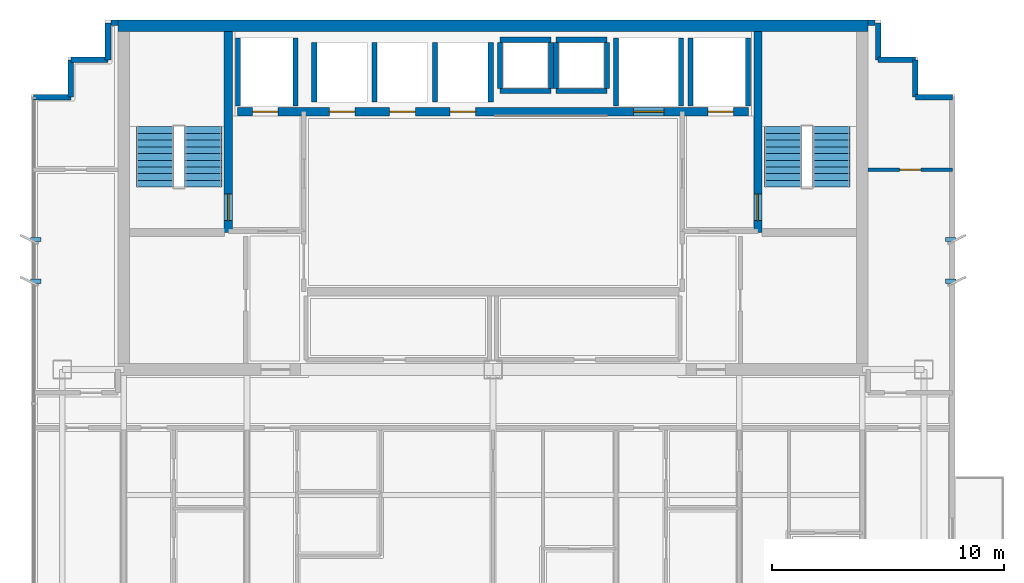
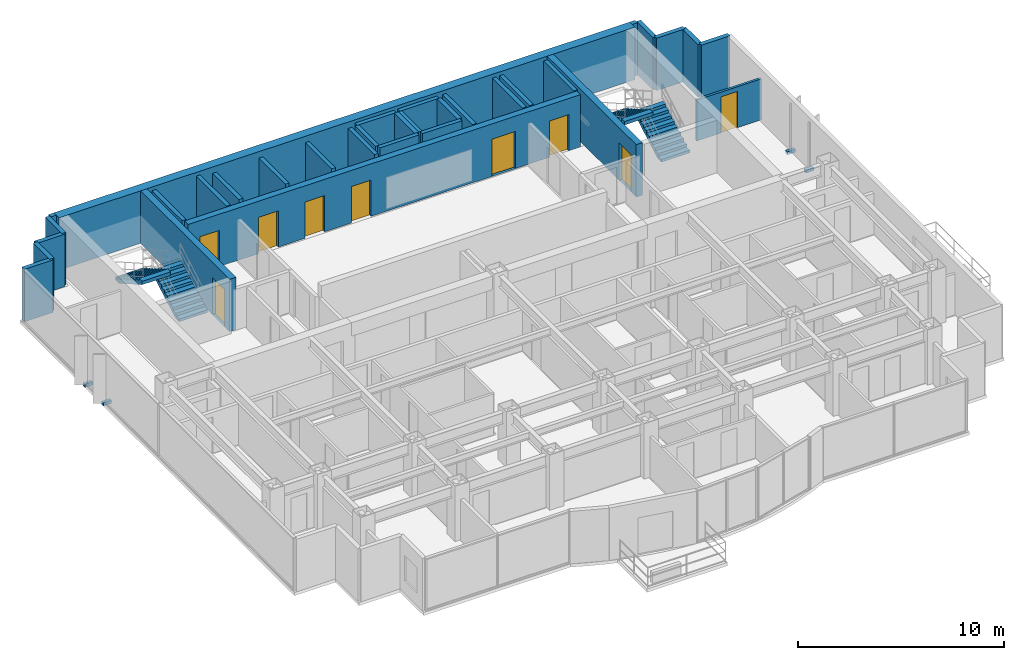
# One storey, part 9 of 11: 33 walls, 9 doors, 4 discrete accessories, 4 stair flights, 9 openings, 2 elements without a shape of their own.
"""IFC4 building model written with IfcOpenShell, lengths in metres."""

from ifc_helpers import new_model, si_unit, direction, frame, frame_2d, origin, origin_2d, place, context, subcontext, project, spatial, polyline, rectangle, outline, extrude, source, transform, mapped, material, layer, layer_set, type_object, element, fill, aggregate, save


model = new_model("IFC4")

# Units and contexts
model_context = context("Model", 3, precision=1e-05, world=origin(), true_north=direction((0.0, 1.0)))
body_context = subcontext(model_context, "Body", "Model", "MODEL_VIEW")
ifc_project = project(units=[si_unit("LENGTHUNIT", "METRE"), si_unit("AREAUNIT", "SQUARE_METRE"), si_unit("VOLUMEUNIT", "CUBIC_METRE"), si_unit("PLANEANGLEUNIT", "RADIAN"), si_unit("MASSUNIT", "GRAM", prefix="KILO")], contexts=[model_context])

# Site, building, storey
site_placement = place(None, origin())
site = spatial("IfcSite", under=ifc_project, at=site_placement, CompositionType="ELEMENT")
building_placement = place(site_placement, origin())
building = spatial("IfcBuilding", under=site, at=building_placement, Name="Qianlan Lanfeng Residences", CompositionType="ELEMENT")
storey_placement = place(building_placement, frame((0.0, 0.0, 206.60009765625)))
storey = spatial("IfcBuildingStorey", under=building, at=storey_placement, Name="L56", CompositionType="ELEMENT", Elevation=206.60009765625)

# Wall, opening, door
ifc_material_1 = material(Name="Concrete C49", Category="concrete")
ifc_layer_1 = layer(ifc_material_1, 0.35009765625)
ifc_layer_set_1 = layer_set([ifc_layer_1], Name="Concrete C49")
wall_type_1 = type_object("IfcWallType", Name="CW-RC-350", PredefinedType="SHEAR", material=ifc_layer_set_1)
wall_1_placement = place(storey_placement, frame((15.10009765625, 31.10009765625, 0.0), z_axis=(0.0, 0.0, 1.0), x_axis=(0.0, 1.0, 0.0)))
wall_1 = element("IfcWall", 1, at=wall_1_placement, inside=storey, type_object=wall_type_1, Name="L56 Core Shear Wall ST1E", PredefinedType="SHEAR", context=body_context, shape_type="SweptSolid", body=[
    extrude(rectangle(XDim=8.64990234375, YDim=0.35009765625, at=frame_2d((4.324951171875, 0.0))), origin(), (0.0, 0.0, 1.0), 3.10986328125),
])
opening_1_placement = place(wall_1_placement, frame((0.510009765625, 0.0, 0.0)))
opening_1 = element("IfcOpeningElement", 2, at=opening_1_placement, cuts=wall_1, Name="Opening L56-D07", PredefinedType="OPENING", context=body_context, shape_type="SweptSolid", body=[
    extrude(rectangle(XDim=1.14990234375, YDim=2.199951171875, at=frame_2d((0.574951171875, 1.10009765625))), frame((0.0, 0.18505859375, 0.0), z_axis=(0.0, -1.0, 0.0), x_axis=(1.0, 0.0, 0.0)), (0.0, 0.0, 1.0), 0.3701171875),
])
ifc_material_2 = material(Name="Painted Galvanised Steel Fire Door", Category="steel")
door_type_1 = type_object("IfcDoorType", Name="DT-ST1", OperationType="NOTDEFINED", PredefinedType="DOOR", material=ifc_material_2)
door_1_placement = place(opening_1_placement, frame((1.14990234375, 0.0, 0.0), z_axis=(0.0, 0.0, 1.0), x_axis=(-1.0, 0.0, 0.0)))
door_1 = element("IfcDoor", 3, at=door_1_placement, inside=storey, type_object=door_type_1, Name="L56 Exit Stair ST-1 Door L56-D07 (DT-ST1)", OperationType="SINGLE_SWING_RIGHT", OverallHeight=2.199951171875, OverallWidth=1.14990234375, PredefinedType="DOOR", context=body_context, shape_type="SweptSolid", body=[
    extrude(rectangle(XDim=1.14990234375, YDim=2.199951171875, at=frame_2d((0.574951171875, 1.10009765625))), frame((0.0, 0.02490234375, 0.0), z_axis=(0.0, -1.0, 0.0), x_axis=(1.0, 0.0, 0.0)), (0.0, 0.0, 1.0), 0.050048828125),
])
fill(opening_1, door_1)

wall_2_placement = place(storey_placement, frame((37.89990234375, 31.10009765625, 0.0), z_axis=(0.0, 0.0, 1.0), x_axis=(0.0, 1.0, 0.0)))
wall_2 = element("IfcWall", 4, at=wall_2_placement, inside=storey, type_object=wall_type_1, Name="L56 Core Shear Wall ST2W", PredefinedType="SHEAR", context=body_context, shape_type="SweptSolid", body=[
    extrude(rectangle(XDim=8.64990234375, YDim=0.35009765625, at=frame_2d((4.324951171875, 0.0))), origin(), (0.0, 0.0, 1.0), 3.10986328125),
])
opening_2_placement = place(wall_2_placement, frame((0.510009765625, 0.0, 0.0)))
opening_2 = element("IfcOpeningElement", 5, at=opening_2_placement, cuts=wall_2, Name="Opening L56-D08", PredefinedType="OPENING", context=body_context, shape_type="SweptSolid", body=[
    extrude(rectangle(XDim=1.14990234375, YDim=2.199951171875, at=frame_2d((0.574951171875, 1.10009765625))), frame((0.0, 0.18505859375, 0.0), z_axis=(0.0, -1.0, 0.0), x_axis=(1.0, 0.0, 0.0)), (0.0, 0.0, 1.0), 0.3701171875),
])
door_2_placement = place(opening_2_placement, origin())
door_2 = element("IfcDoor", 6, at=door_2_placement, inside=storey, type_object=door_type_1, Name="L56 Exit Stair ST-2 Door L56-D08 (DT-ST1)", OperationType="SINGLE_SWING_RIGHT", OverallHeight=2.199951171875, OverallWidth=1.14990234375, PredefinedType="DOOR", context=body_context, shape_type="SweptSolid", body=[
    extrude(rectangle(XDim=1.14990234375, YDim=2.199951171875, at=frame_2d((0.574951171875, 1.10009765625))), frame((0.0, 0.02490234375, 0.0), z_axis=(0.0, -1.0, 0.0), x_axis=(1.0, 0.0, 0.0)), (0.0, 0.0, 1.0), 0.050048828125),
])
fill(opening_2, door_2)

# Wall, openings, doors
wall_3_placement = place(storey_placement, frame((15.5, 36.300048828125, 0.0), z_axis=(0.0, 0.0, 1.0), x_axis=(1.0, 0.0, 0.0)))
wall_3 = element("IfcWall", 7, at=wall_3_placement, inside=storey, type_object=wall_type_1, Name="L56 Core Shear Wall LBN", PredefinedType="SHEAR", context=body_context, shape_type="SweptSolid", body=[
    extrude(rectangle(XDim=22.0, YDim=0.35009765625, at=frame_2d((11.0, 0.0))), origin(), (0.0, 0.0, 1.0), 3.10986328125),
])
opening_3_placement = place(wall_3_placement, frame((0.64990234375, 0.0, 0.0)))
opening_3 = element("IfcOpeningElement", 8, at=opening_3_placement, cuts=wall_3, Name="Opening L56-LD-FFL-1", PredefinedType="OPENING", context=body_context, shape_type="SweptSolid", body=[
    extrude(rectangle(XDim=1.10009765625, YDim=2.14990234375, at=frame_2d((0.550048828125, 1.074951171875))), frame((0.0, 0.18505859375, 0.0), z_axis=(0.0, -1.0, 0.0), x_axis=(1.0, 0.0, 0.0)), (0.0, 0.0, 1.0), 0.3701171875),
])
opening_4_placement = place(wall_3_placement, frame((20.25, 0.0, 0.0)))
opening_4 = element("IfcOpeningElement", 9, at=opening_4_placement, cuts=wall_3, Name="Opening L56-LD-FFL-2", PredefinedType="OPENING", context=body_context, shape_type="SweptSolid", body=[
    extrude(rectangle(XDim=1.10009765625, YDim=2.14990234375, at=frame_2d((0.550048828125, 1.074951171875))), frame((0.0, 0.18505859375, 0.0), z_axis=(0.0, -1.0, 0.0), x_axis=(1.0, 0.0, 0.0)), (0.0, 0.0, 1.0), 0.3701171875),
])
opening_5_placement = place(wall_3_placement, frame((17.050048828125, 0.0, 0.0)))
opening_5 = element("IfcOpeningElement", 10, at=opening_5_placement, cuts=wall_3, Name="Opening L56-LD-SVL-1", PredefinedType="OPENING", context=body_context, shape_type="SweptSolid", body=[
    extrude(rectangle(XDim=1.300048828125, YDim=2.199951171875, at=frame_2d((0.64990234375, 1.10009765625))), frame((0.0, 0.18505859375, 0.0), z_axis=(0.0, -1.0, 0.0), x_axis=(1.0, 0.0, 0.0)), (0.0, 0.0, 1.0), 0.3701171875),
])
opening_6_placement = place(wall_3_placement, frame((3.949951171875, 0.0, 0.0)))
opening_6 = element("IfcOpeningElement", 11, at=opening_6_placement, cuts=wall_3, Name="Opening L56-LD-PL-H1", PredefinedType="OPENING", context=body_context, shape_type="SweptSolid", body=[
    extrude(rectangle(XDim=1.10009765625, YDim=2.14990234375, at=frame_2d((0.550048828125, 1.074951171875))), frame((0.0, 0.18505859375, 0.0), z_axis=(0.0, -1.0, 0.0), x_axis=(1.0, 0.0, 0.0)), (0.0, 0.0, 1.0), 0.3701171875),
])
opening_7_placement = place(wall_3_placement, frame((6.550048828125, 0.0, 0.0)))
opening_7 = element("IfcOpeningElement", 12, at=opening_7_placement, cuts=wall_3, Name="Opening L56-LD-PL-H2", PredefinedType="OPENING", context=body_context, shape_type="SweptSolid", body=[
    extrude(rectangle(XDim=1.10009765625, YDim=2.14990234375, at=frame_2d((0.550048828125, 1.074951171875))), frame((0.0, 0.18505859375, 0.0), z_axis=(0.0, -1.0, 0.0), x_axis=(1.0, 0.0, 0.0)), (0.0, 0.0, 1.0), 0.3701171875),
])
opening_8_placement = place(wall_3_placement, frame((9.14990234375, 0.0, 0.0)))
opening_8 = element("IfcOpeningElement", 13, at=opening_8_placement, cuts=wall_3, Name="Opening L56-LD-PL-H3", PredefinedType="OPENING", context=body_context, shape_type="SweptSolid", body=[
    extrude(rectangle(XDim=1.10009765625, YDim=2.14990234375, at=frame_2d((0.550048828125, 1.074951171875))), frame((0.0, 0.18505859375, 0.0), z_axis=(0.0, -1.0, 0.0), x_axis=(1.0, 0.0, 0.0)), (0.0, 0.0, 1.0), 0.3701171875),
])
ifc_material_3 = material(Name="Brushed Stainless Steel Sliding Lift Door", Category="steel")
door_type_2 = type_object("IfcDoorType", Name="LD-01", OperationType="NOTDEFINED", PredefinedType="DOOR", material=ifc_material_3)
door_3_placement = place(opening_3_placement, frame((1.10009765625, 0.0, 0.0), z_axis=(0.0, 0.0, 1.0), x_axis=(-1.0, 0.0, 0.0)))
door_3 = element("IfcDoor", 14, at=door_3_placement, inside=storey, type_object=door_type_2, Name="L56 Elevator FFL-1 Sliding Landing Door", OperationType="DOUBLE_DOOR_SLIDING", OverallHeight=2.14990234375, OverallWidth=1.10009765625, PredefinedType="DOOR", context=body_context, shape_type="SweptSolid", body=[
    extrude(rectangle(XDim=1.10009765625, YDim=2.14990234375, at=frame_2d((0.550048828125, 1.074951171875))), frame((0.0, 0.02490234375, 0.0), z_axis=(0.0, -1.0, 0.0), x_axis=(1.0, 0.0, 0.0)), (0.0, 0.0, 1.0), 0.050048828125),
])
fill(opening_3, door_3)
door_4_placement = place(opening_4_placement, frame((1.10009765625, 0.0, 0.0), z_axis=(0.0, 0.0, 1.0), x_axis=(-1.0, 0.0, 0.0)))
door_4 = element("IfcDoor", 15, at=door_4_placement, inside=storey, type_object=door_type_2, Name="L56 Elevator FFL-2 Sliding Landing Door", OperationType="DOUBLE_DOOR_SLIDING", OverallHeight=2.14990234375, OverallWidth=1.10009765625, PredefinedType="DOOR", context=body_context, shape_type="SweptSolid", body=[
    extrude(rectangle(XDim=1.10009765625, YDim=2.14990234375, at=frame_2d((0.550048828125, 1.074951171875))), frame((0.0, 0.02490234375, 0.0), z_axis=(0.0, -1.0, 0.0), x_axis=(1.0, 0.0, 0.0)), (0.0, 0.0, 1.0), 0.050048828125),
])
fill(opening_4, door_4)
door_5_placement = place(opening_6_placement, frame((1.10009765625, 0.0, 0.0), z_axis=(0.0, 0.0, 1.0), x_axis=(-1.0, 0.0, 0.0)))
door_5 = element("IfcDoor", 16, at=door_5_placement, inside=storey, type_object=door_type_2, Name="L56 Elevator PL-H1 Sliding Landing Door", OperationType="DOUBLE_DOOR_SLIDING", OverallHeight=2.14990234375, OverallWidth=1.10009765625, PredefinedType="DOOR", context=body_context, shape_type="SweptSolid", body=[
    extrude(rectangle(XDim=1.10009765625, YDim=2.14990234375, at=frame_2d((0.550048828125, 1.074951171875))), frame((0.0, 0.02490234375, 0.0), z_axis=(0.0, -1.0, 0.0), x_axis=(1.0, 0.0, 0.0)), (0.0, 0.0, 1.0), 0.050048828125),
])
fill(opening_6, door_5)
door_6_placement = place(opening_7_placement, frame((1.10009765625, 0.0, 0.0), z_axis=(0.0, 0.0, 1.0), x_axis=(-1.0, 0.0, 0.0)))
door_6 = element("IfcDoor", 17, at=door_6_placement, inside=storey, type_object=door_type_2, Name="L56 Elevator PL-H2 Sliding Landing Door", OperationType="DOUBLE_DOOR_SLIDING", OverallHeight=2.14990234375, OverallWidth=1.10009765625, PredefinedType="DOOR", context=body_context, shape_type="SweptSolid", body=[
    extrude(rectangle(XDim=1.10009765625, YDim=2.14990234375, at=frame_2d((0.550048828125, 1.074951171875))), frame((0.0, 0.02490234375, 0.0), z_axis=(0.0, -1.0, 0.0), x_axis=(1.0, 0.0, 0.0)), (0.0, 0.0, 1.0), 0.050048828125),
])
fill(opening_7, door_6)
door_7_placement = place(opening_8_placement, frame((1.10009765625, 0.0, 0.0), z_axis=(0.0, 0.0, 1.0), x_axis=(-1.0, 0.0, 0.0)))
door_7 = element("IfcDoor", 18, at=door_7_placement, inside=storey, type_object=door_type_2, Name="L56 Elevator PL-H3 Sliding Landing Door", OperationType="DOUBLE_DOOR_SLIDING", OverallHeight=2.14990234375, OverallWidth=1.10009765625, PredefinedType="DOOR", context=body_context, shape_type="SweptSolid", body=[
    extrude(rectangle(XDim=1.10009765625, YDim=2.14990234375, at=frame_2d((0.550048828125, 1.074951171875))), frame((0.0, 0.02490234375, 0.0), z_axis=(0.0, -1.0, 0.0), x_axis=(1.0, 0.0, 0.0)), (0.0, 0.0, 1.0), 0.050048828125),
])
fill(opening_8, door_7)
door_type_3 = type_object("IfcDoorType", Name="LD-02", OperationType="NOTDEFINED", PredefinedType="DOOR", material=ifc_material_3)
door_8_placement = place(opening_5_placement, frame((1.300048828125, 0.0, 0.0), z_axis=(0.0, 0.0, 1.0), x_axis=(-1.0, 0.0, 0.0)))
door_8 = element("IfcDoor", 19, at=door_8_placement, inside=storey, type_object=door_type_3, Name="L56 Elevator SVL-1 Sliding Landing Door", OperationType="DOUBLE_DOOR_SLIDING", OverallHeight=2.199951171875, OverallWidth=1.300048828125, PredefinedType="DOOR", context=body_context, shape_type="SweptSolid", body=[
    extrude(rectangle(XDim=1.300048828125, YDim=2.199951171875, at=frame_2d((0.64990234375, 1.10009765625))), frame((0.0, 0.02490234375, 0.0), z_axis=(0.0, -1.0, 0.0), x_axis=(1.0, 0.0, 0.0)), (0.0, 0.0, 1.0), 0.050048828125),
])
fill(opening_5, door_8)

# Walls
ifc_material_4 = material(Name="Concrete C70", Category="concrete")
ifc_layer_2 = layer(ifc_material_4, 0.5)
ifc_layer_set_2 = layer_set([ifc_layer_2], Name="Concrete C70")
wall_type_2 = type_object("IfcWallType", Name="CW-RC-500", PredefinedType="SHEAR", material=ifc_layer_set_2)
wall_4_placement = place(storey_placement, frame((10.35009765625, 40.0, 0.0), z_axis=(0.0, 0.0, 1.0), x_axis=(1.0, 0.0, 0.0)))
element("IfcWall", 20, at=wall_4_placement, inside=storey, type_object=wall_type_2, Name="L56 Core Shear Wall N", PredefinedType="SHEAR", context=body_context, shape_type="SweptSolid", body=[
    extrude(rectangle(XDim=32.2998046875, YDim=0.5, at=frame_2d((16.14990234375, 0.0))), origin(), (0.0, 0.0, 1.0), 3.10986328125),
])
ifc_material_5 = material(Name="Concrete C42", Category="concrete")
ifc_layer_3 = layer(ifc_material_5, 0.239990234375)
ifc_layer_set_3 = layer_set([ifc_layer_3], Name="Concrete C42")
wall_type_3 = type_object("IfcWallType", Name="EW-240", PredefinedType="SOLIDWALL", material=ifc_layer_set_3)
for number, where, z_axis, x_axis, name in (
    (21, (46.280029296875, 36.929931640625, 0.0), (0.0, 0.0, 1.0), (-1.0, 0.0, 0.0), "L56 Exterior Facade Spandrel Wall 13"),
    (22, (44.679931640625, 36.929931640625, 0.0), (0.0, 0.0, 1.0), (0.0, 1.0, 0.0), "L56 Exterior Facade Spandrel Wall 14"),
):
    element("IfcWall", number, at=place(storey_placement, frame(where, z_axis=z_axis, x_axis=x_axis)), inside=storey, type_object=wall_type_3, Name=name, PredefinedType="SOLIDWALL", context=body_context, shape_type="SweptSolid", body=[
        extrude(rectangle(XDim=1.60009765625, YDim=0.239990234375, at=frame_2d((0.800048828125, 0.0))), origin(), (0.0, 0.0, 1.0), 3.10986328125),
    ])
for number, where, z_axis, x_axis, name in (
    (23, (44.679931640625, 38.530029296875, 0.0), (0.0, 0.0, 1.0), (-1.0, 0.0, 0.0), "L56 Exterior Facade Spandrel Wall 15"),
    (24, (43.080078125, 38.530029296875, 0.0), (0.0, 0.0, 1.0), (0.0, 1.0, 0.0), "L56 Exterior Facade Spandrel Wall 16"),
):
    element("IfcWall", number, at=place(storey_placement, frame(where, z_axis=z_axis, x_axis=x_axis)), inside=storey, type_object=wall_type_3, Name=name, PredefinedType="SOLIDWALL", context=body_context, shape_type="SweptSolid", body=[
        extrude(rectangle(XDim=1.599853515625, YDim=0.239990234375, at=frame_2d((0.7998046875, 0.0))), origin(), (0.0, 0.0, 1.0), 3.10986328125),
    ])
for number, where, z_axis, x_axis, name in (
    (25, (42.949951171875, 40.1298828125, 0.0), (0.0, 0.0, 1.0), (-1.0, 0.0, 0.0), "L56 North Wing Exterior Wall E"),
    (26, (10.35009765625, 40.1298828125, 0.0), (0.0, 0.0, 1.0), (-1.0, 0.0, 0.0), "L56 North Wing Exterior Wall W"),
):
    element("IfcWall", number, at=place(storey_placement, frame(where, z_axis=z_axis, x_axis=x_axis)), inside=storey, type_object=wall_type_3, Name=name, PredefinedType="SOLIDWALL", context=body_context, shape_type="SweptSolid", body=[
        extrude(rectangle(XDim=0.300048828125, YDim=0.239990234375, at=frame_2d((0.14990234375, 0.0))), origin(), (0.0, 0.0, 1.0), 3.10986328125),
    ])
for number, where, z_axis, x_axis, name in (
    (27, (9.919921875, 40.1298828125, 0.0), (0.0, 0.0, 1.0), (0.0, -1.0, 0.0), "L56 Exterior Facade Spandrel Wall 19"),
    (28, (9.919921875, 38.530029296875, 0.0), (0.0, 0.0, 1.0), (-1.0, 0.0, 0.0), "L56 Exterior Facade Spandrel Wall 20"),
):
    element("IfcWall", number, at=place(storey_placement, frame(where, z_axis=z_axis, x_axis=x_axis)), inside=storey, type_object=wall_type_3, Name=name, PredefinedType="SOLIDWALL", context=body_context, shape_type="SweptSolid", body=[
        extrude(rectangle(XDim=1.599853515625, YDim=0.239990234375, at=frame_2d((0.7998046875, 0.0))), origin(), (0.0, 0.0, 1.0), 3.10986328125),
    ])
for number, where, z_axis, x_axis, name in (
    (29, (8.320068359375, 38.530029296875, 0.0), (0.0, 0.0, 1.0), (0.0, -1.0, 0.0), "L56 Exterior Facade Spandrel Wall 21"),
    (30, (8.320068359375, 36.929931640625, 0.0), (0.0, 0.0, 1.0), (-1.0, 0.0, 0.0), "L56 Exterior Facade Spandrel Wall 22"),
):
    element("IfcWall", number, at=place(storey_placement, frame(where, z_axis=z_axis, x_axis=x_axis)), inside=storey, type_object=wall_type_3, Name=name, PredefinedType="SOLIDWALL", context=body_context, shape_type="SweptSolid", body=[
        extrude(rectangle(XDim=1.60009765625, YDim=0.239990234375, at=frame_2d((0.800048828125, 0.0))), origin(), (0.0, 0.0, 1.0), 3.10986328125),
    ])

# Wall, opening, door
ifc_material_6 = material(Name="Moisture-Resistant Gypsum Partition 135 mm")
ifc_layer_4 = layer(ifc_material_6, 0.135009765625)
ifc_layer_set_4 = layer_set([ifc_layer_4], Name="Moisture-Resistant Gypsum Partition 135 mm")
wall_type_4 = type_object("IfcWallType", Name="PW-135", PredefinedType="PARTITIONING", material=ifc_layer_set_4)
wall_5_placement = place(storey_placement, frame((42.64990234375, 33.800048828125, 0.0), z_axis=(0.0, 0.0, 1.0), x_axis=(1.0, 0.0, 0.0)))
wall_5 = element("IfcWall", 31, at=wall_5_placement, inside=storey, type_object=wall_type_4, Name="L56 EW North Wing Wall", PredefinedType="PARTITIONING", context=body_context, shape_type="SweptSolid", body=[
    extrude(rectangle(XDim=3.630126953125, YDim=0.135009765625, at=frame_2d((1.81494140625, 0.0))), origin(), (0.0, 0.0, 1.0), 2.429931640625),
])
opening_9_placement = place(wall_5_placement, frame((1.35498046875, 0.0, 0.0)))
opening_9 = element("IfcOpeningElement", 32, at=opening_9_placement, cuts=wall_5, Name="Opening L56-D42", PredefinedType="OPENING", context=body_context, shape_type="SweptSolid", body=[
    extrude(rectangle(XDim=0.919921875, YDim=2.14990234375, at=frame_2d((0.4599609375, 1.074951171875))), frame((0.0, 0.07763671875, 0.0), z_axis=(0.0, -1.0, 0.0), x_axis=(1.0, 0.0, 0.0)), (0.0, 0.0, 1.0), 0.155029296875),
])
ifc_material_7 = material(Name="Glazed Timber Kitchen/Study Door", Category="wood")
door_type_4 = type_object("IfcDoorType", Name="DT-INT", OperationType="NOTDEFINED", PredefinedType="DOOR", material=ifc_material_7)
door_9_placement = place(opening_9_placement, origin())
door_9 = element("IfcDoor", 33, at=door_9_placement, inside=storey, type_object=door_type_4, Name="L56 EW Inner Salon Door L56-D42 (DT-INT)", OperationType="SINGLE_SWING_LEFT", OverallHeight=2.14990234375, OverallWidth=0.919921875, PredefinedType="DOOR", context=body_context, shape_type="SweptSolid", body=[
    extrude(rectangle(XDim=0.919921875, YDim=2.14990234375, at=frame_2d((0.4599609375, 1.074951171875))), frame((0.0, 0.02490234375, 0.0), z_axis=(0.0, -1.0, 0.0), x_axis=(1.0, 0.0, 0.0)), (0.0, 0.0, 1.0), 0.050048828125),
])
fill(opening_9, door_9)

# Walls
ifc_layer_5 = layer(ifc_material_1, 0.219970703125)
ifc_layer_set_5 = layer_set([ifc_layer_5], Name="Concrete C49")
wall_type_5 = type_object("IfcWallType", Name="SHW-220", PredefinedType="SOLIDWALL", material=ifc_layer_set_5)
for number, where, z_axis, x_axis, name in (
    (34, (15.52001953125, 36.550048828125, 0.0), (0.0, 0.0, 1.0), (0.0, 1.0, 0.0), "L56 Lift FFL-1 Shaft Wall W"),
    (35, (18.0, 36.550048828125, 0.0), (0.0, 0.0, 1.0), (0.0, 1.0, 0.0), "L56 Lift FFL-1 Shaft Wall E"),
    (36, (35.0, 36.550048828125, 0.0), (0.0, 0.0, 1.0), (0.0, 1.0, 0.0), "L56 Lift FFL-2 Shaft Wall W"),
    (37, (37.47998046875, 36.550048828125, 0.0), (0.0, 0.0, 1.0), (0.0, 1.0, 0.0), "L56 Lift FFL-2 Shaft Wall E"),
    (38, (31.800048828125, 36.550048828125, 0.0), (0.0, 0.0, 1.0), (0.0, 1.0, 0.0), "L56 Lift SVL-1 Shaft Wall W"),
    (39, (34.60009765625, 36.550048828125, 0.0), (0.0, 0.0, 1.0), (0.0, 1.0, 0.0), "L56 Lift SVL-1 Shaft Wall E"),
):
    element("IfcWall", number, at=place(storey_placement, frame(where, z_axis=z_axis, x_axis=x_axis)), inside=storey, type_object=wall_type_5, Name=name, PredefinedType="SOLIDWALL", context=body_context, shape_type="SweptSolid", body=[
        extrude(rectangle(XDim=2.929931640625, YDim=0.219970703125, at=frame_2d((1.46484375, 0.0))), origin(), (0.0, 0.0, 1.0), 3.10986328125),
    ])
for number, where, z_axis, x_axis, name in (
    (40, (18.800048828125, 36.719970703125, 0.0), (0.0, 0.0, 1.0), (0.0, 1.0, 0.0), "L56 Lift PL-H1 Shaft Wall W"),
    (41, (21.39990234375, 36.719970703125, 0.0), (0.0, 0.0, 1.0), (0.0, 1.0, 0.0), "L56 Lift PL-H2 Shaft Wall W"),
    (42, (24.0, 36.719970703125, 0.0), (0.0, 0.0, 1.0), (0.0, 1.0, 0.0), "L56 Lift PL-H3 Shaft Wall W"),
    (43, (26.39990234375, 36.719970703125, 0.0), (0.0, 0.0, 1.0), (0.0, 1.0, 0.0), "L56 Lift PL-H3 Shaft Wall E"),
):
    element("IfcWall", number, at=place(storey_placement, frame(where, z_axis=z_axis, x_axis=x_axis)), inside=storey, type_object=wall_type_5, Name=name, PredefinedType="SOLIDWALL", context=body_context, shape_type="SweptSolid", body=[
        extrude(rectangle(XDim=2.56005859375, YDim=0.219970703125, at=frame_2d((1.280029296875, 0.0))), origin(), (0.0, 0.0, 1.0), 3.10986328125),
    ])
for number, where, z_axis, x_axis, name in (
    (44, (26.800048828125, 37.31005859375, 0.0), (0.0, 0.0, 1.0), (0.0, 1.0, 0.0), "L56 MEP Riser MEP-R1 Shaft Wall W"),
    (45, (29.0, 37.31005859375, 0.0), (0.0, 0.0, 1.0), (0.0, 1.0, 0.0), "L56 MEP Riser MEP-R1 Shaft Wall E"),
):
    element("IfcWall", number, at=place(storey_placement, frame(where, z_axis=z_axis, x_axis=x_axis)), inside=storey, type_object=wall_type_5, Name=name, PredefinedType="SOLIDWALL", context=body_context, shape_type="SweptSolid", body=[
        extrude(rectangle(XDim=1.97998046875, YDim=0.219970703125, at=frame_2d((0.989990234375, 0.0))), origin(), (0.0, 0.0, 1.0), 3.10986328125),
    ])
for number, where, z_axis, x_axis, name in (
    (46, (26.800048828125, 39.39990234375, 0.0), (0.0, 0.0, 1.0), (1.0, 0.0, 0.0), "L56 MEP Riser MEP-R1 Shaft Wall N"),
    (47, (26.800048828125, 37.199951171875, 0.0), (0.0, 0.0, 1.0), (1.0, 0.0, 0.0), "L56 MEP Riser MEP-R1 Shaft Wall S"),
):
    element("IfcWall", number, at=place(storey_placement, frame(where, z_axis=z_axis, x_axis=x_axis)), inside=storey, type_object=wall_type_5, Name=name, PredefinedType="SOLIDWALL", context=body_context, shape_type="SweptSolid", body=[
        extrude(rectangle(XDim=2.199951171875, YDim=0.219970703125, at=frame_2d((1.10009765625, 0.0))), origin(), (0.0, 0.0, 1.0), 3.10986328125),
    ])
for number, where, z_axis, x_axis, name in (
    (48, (29.199951171875, 37.31005859375, 0.0), (0.0, 0.0, 1.0), (0.0, 1.0, 0.0), "L56 MEP Riser MEP-R2 Shaft Wall W"),
    (49, (31.39990234375, 37.31005859375, 0.0), (0.0, 0.0, 1.0), (0.0, 1.0, 0.0), "L56 MEP Riser MEP-R2 Shaft Wall E"),
):
    element("IfcWall", number, at=place(storey_placement, frame(where, z_axis=z_axis, x_axis=x_axis)), inside=storey, type_object=wall_type_5, Name=name, PredefinedType="SOLIDWALL", context=body_context, shape_type="SweptSolid", body=[
        extrude(rectangle(XDim=1.97998046875, YDim=0.219970703125, at=frame_2d((0.989990234375, 0.0))), origin(), (0.0, 0.0, 1.0), 3.10986328125),
    ])
for number, where, z_axis, x_axis, name in (
    (50, (29.199951171875, 39.39990234375, 0.0), (0.0, 0.0, 1.0), (1.0, 0.0, 0.0), "L56 MEP Riser MEP-R2 Shaft Wall N"),
    (51, (29.199951171875, 37.199951171875, 0.0), (0.0, 0.0, 1.0), (1.0, 0.0, 0.0), "L56 MEP Riser MEP-R2 Shaft Wall S"),
):
    element("IfcWall", number, at=place(storey_placement, frame(where, z_axis=z_axis, x_axis=x_axis)), inside=storey, type_object=wall_type_5, Name=name, PredefinedType="SOLIDWALL", context=body_context, shape_type="SweptSolid", body=[
        extrude(rectangle(XDim=2.199951171875, YDim=0.219970703125, at=frame_2d((1.10009765625, 0.0))), origin(), (0.0, 0.0, 1.0), 3.10986328125),
    ])

# Stair, stair flights
stair_type = type_object("IfcStairType", Name="STR-MAIN", PredefinedType="HALF_TURN_STAIR", material=ifc_material_5)
stair_1_placement = place(storey_placement, origin())
stair_1 = element("IfcStair", 52, at=stair_1_placement, inside=storey, type_object=stair_type, Name="L56 Exit Stair ST-1", PredefinedType="HALF_TURN_STAIR")
stair_flight_type = type_object("IfcStairFlightType", Name="FLT-1720", PredefinedType="STRAIGHT", material=ifc_material_5)
stair_flight_1_placement = place(storey_placement, frame((14.02001953125, 33.050048828125, 0.0), z_axis=(0.0, 0.0, 1.0), x_axis=(0.0, 1.0, 0.0)))
stair_flight_1 = element("IfcStairFlight", 53, at=stair_flight_1_placement, type_object=stair_flight_type, Name="ST-1 flight 1", NumberOfRisers=10, NumberOfTreads=9, PredefinedType="STRAIGHT", RiserHeight=0.165, TreadLength=0.29, context=body_context, shape_type="SweptSolid", body=[
    extrude(outline(polyline([(0.0, 0.0), (0.0, 0.1650390625), (0.2900390625, 0.1650390625), (0.2900390625, 0.330078125), (0.580078125, 0.330078125), (0.580078125, 0.4951171875), (0.8701171875, 0.4951171875), (0.8701171875, 0.659912109375), (1.159912109375, 0.659912109375), (1.159912109375, 0.824951171875), (1.449951171875, 0.824951171875), (1.449951171875, 0.989990234375), (1.739990234375, 0.989990234375), (1.739990234375, 1.155029296875), (2.030029296875, 1.155029296875), (2.030029296875, 1.320068359375), (2.320068359375, 1.320068359375), (2.320068359375, 1.485107421875), (2.610107421875, 1.485107421875), (2.610107421875, 1.64990234375), (2.610107421875, 1.278076171875), (0.36376953125, 0.0), (0.0, 0.0)])), frame((0.0, 0.800048828125, 0.0), z_axis=(0.0, -1.0, 0.0), x_axis=(1.0, 0.0, 0.0)), (0.0, 0.0, 1.0), 1.60009765625),
])
stair_flight_2_placement = place(storey_placement, frame((11.93994140625, 35.659912109375, 1.64990234375), z_axis=(0.0, 0.0, 1.0), x_axis=(0.0, -1.0, 0.0)))
stair_flight_2 = element("IfcStairFlight", 54, at=stair_flight_2_placement, type_object=stair_flight_type, Name="ST-1 flight 2", NumberOfRisers=10, NumberOfTreads=9, PredefinedType="STRAIGHT", RiserHeight=0.165, TreadLength=0.29, context=body_context, shape_type="SweptSolid", body=[
    extrude(outline(polyline([(0.0, 0.0), (0.0, 0.1650390625), (0.2900390625, 0.1650390625), (0.2900390625, 0.330078125), (0.580078125, 0.330078125), (0.580078125, 0.4951171875), (0.8701171875, 0.4951171875), (0.8701171875, 0.659912109375), (1.159912109375, 0.659912109375), (1.159912109375, 0.824951171875), (1.449951171875, 0.824951171875), (1.449951171875, 0.989990234375), (1.739990234375, 0.989990234375), (1.739990234375, 1.155029296875), (2.030029296875, 1.155029296875), (2.030029296875, 1.320068359375), (2.320068359375, 1.320068359375), (2.320068359375, 1.485107421875), (2.610107421875, 1.485107421875), (2.610107421875, 1.64990234375), (2.610107421875, 1.278076171875), (0.36376953125, 0.0), (0.0, 0.0)])), frame((0.0, 0.800048828125, 0.0), z_axis=(0.0, -1.0, 0.0), x_axis=(1.0, 0.0, 0.0)), (0.0, 0.0, 1.0), 1.60009765625),
])
aggregate(stair_1, [stair_flight_1, stair_flight_2])

stair_2_placement = place(storey_placement, origin())
stair_2 = element("IfcStair", 55, at=stair_2_placement, inside=storey, type_object=stair_type, Name="L56 Exit Stair ST-2", PredefinedType="HALF_TURN_STAIR")
stair_flight_3_placement = place(storey_placement, frame((41.06005859375, 33.050048828125, 0.0), z_axis=(0.0, 0.0, 1.0), x_axis=(0.0, 1.0, 0.0)))
stair_flight_3 = element("IfcStairFlight", 56, at=stair_flight_3_placement, type_object=stair_flight_type, Name="ST-2 flight 1", NumberOfRisers=10, NumberOfTreads=9, PredefinedType="STRAIGHT", RiserHeight=0.165, TreadLength=0.29, context=body_context, shape_type="SweptSolid", body=[
    extrude(outline(polyline([(0.0, 0.0), (0.0, 0.1650390625), (0.2900390625, 0.1650390625), (0.2900390625, 0.330078125), (0.580078125, 0.330078125), (0.580078125, 0.4951171875), (0.8701171875, 0.4951171875), (0.8701171875, 0.659912109375), (1.159912109375, 0.659912109375), (1.159912109375, 0.824951171875), (1.449951171875, 0.824951171875), (1.449951171875, 0.989990234375), (1.739990234375, 0.989990234375), (1.739990234375, 1.155029296875), (2.030029296875, 1.155029296875), (2.030029296875, 1.320068359375), (2.320068359375, 1.320068359375), (2.320068359375, 1.485107421875), (2.610107421875, 1.485107421875), (2.610107421875, 1.64990234375), (2.610107421875, 1.278076171875), (0.36376953125, 0.0), (0.0, 0.0)])), frame((0.0, 0.800048828125, 0.0), z_axis=(0.0, -1.0, 0.0), x_axis=(1.0, 0.0, 0.0)), (0.0, 0.0, 1.0), 1.60009765625),
])
stair_flight_4_placement = place(storey_placement, frame((38.97998046875, 35.659912109375, 1.64990234375), z_axis=(0.0, 0.0, 1.0), x_axis=(0.0, -1.0, 0.0)))
stair_flight_4 = element("IfcStairFlight", 57, at=stair_flight_4_placement, type_object=stair_flight_type, Name="ST-2 flight 2", NumberOfRisers=10, NumberOfTreads=9, PredefinedType="STRAIGHT", RiserHeight=0.165, TreadLength=0.29, context=body_context, shape_type="SweptSolid", body=[
    extrude(outline(polyline([(0.0, 0.0), (0.0, 0.1650390625), (0.2900390625, 0.1650390625), (0.2900390625, 0.330078125), (0.580078125, 0.330078125), (0.580078125, 0.4951171875), (0.8701171875, 0.4951171875), (0.8701171875, 0.659912109375), (1.159912109375, 0.659912109375), (1.159912109375, 0.824951171875), (1.449951171875, 0.824951171875), (1.449951171875, 0.989990234375), (1.739990234375, 0.989990234375), (1.739990234375, 1.155029296875), (2.030029296875, 1.155029296875), (2.030029296875, 1.320068359375), (2.320068359375, 1.320068359375), (2.320068359375, 1.485107421875), (2.610107421875, 1.485107421875), (2.610107421875, 1.64990234375), (2.610107421875, 1.278076171875), (0.36376953125, 0.0), (0.0, 0.0)])), frame((0.0, 0.800048828125, 0.0), z_axis=(0.0, -1.0, 0.0), x_axis=(1.0, 0.0, 0.0)), (0.0, 0.0, 1.0), 1.60009765625),
])
aggregate(stair_2, [stair_flight_3, stair_flight_4])

# Discrete accessories
ifc_material_8 = material(Name="Stainless Steel Facade Bracket", Category="steel")
discrete_accessory_type = type_object("IfcDiscreteAccessoryType", Name="BRK-SS-350", PredefinedType="BRACKET", material=ifc_material_8)
shared_shape = source(origin(), body_context, "Body", "SweptSolid", [
    extrude(rectangle(XDim=0.449951171875, YDim=0.179931640625, at=origin_2d()), origin(), (0.0, 0.0, 1.0), 0.179931640625),
])
for number, where, z_axis, x_axis, name in (
    (58, (6.800048828125, 29.0, -0.14990234375), (0.0, 0.0, 1.0), (1.0, 0.0, 0.0), "L56 Raked Solar Fin Support Bracket W1"),
    (59, (6.800048828125, 30.800048828125, -0.14990234375), (0.0, 0.0, 1.0), (1.0, 0.0, 0.0), "L56 Raked Solar Fin Support Bracket W2"),
    (60, (46.199951171875, 29.0, -0.14990234375), (0.0, 0.0, 1.0), (1.0, 0.0, 0.0), "L56 Raked Solar Fin Support Bracket E1"),
    (61, (46.199951171875, 30.800048828125, -0.14990234375), (0.0, 0.0, 1.0), (1.0, 0.0, 0.0), "L56 Raked Solar Fin Support Bracket E2"),
):
    element("IfcDiscreteAccessory", number, at=place(storey_placement, frame(where, z_axis=z_axis, x_axis=x_axis)), inside=storey, type_object=discrete_accessory_type, Name=name, PredefinedType="BRACKET", context=body_context, shape_type="MappedRepresentation", body=[
        mapped(shared_shape, transform((0.0, 0.0, 0.0), scale=1.0)),
    ])

save(model, "model.ifc")
